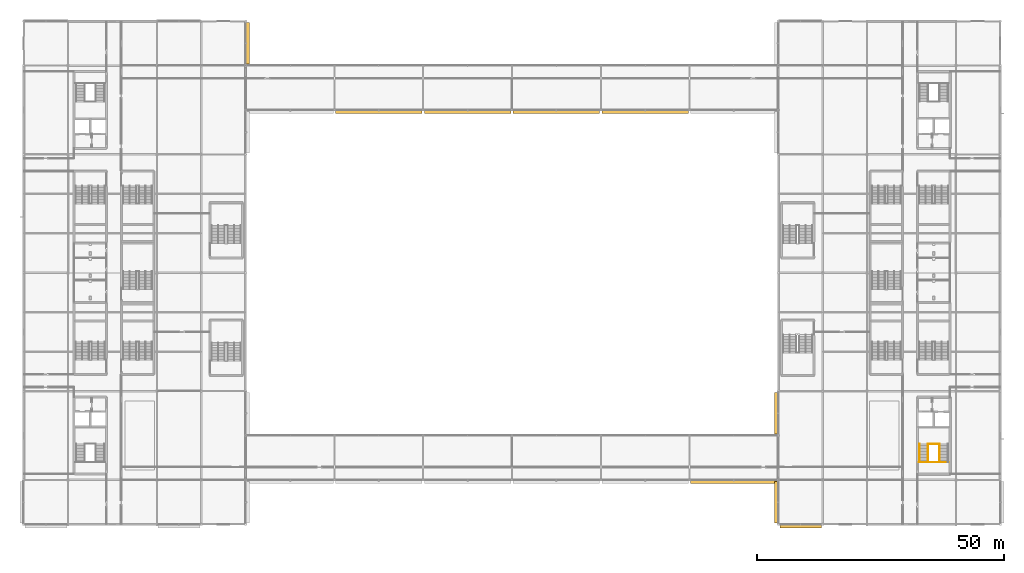
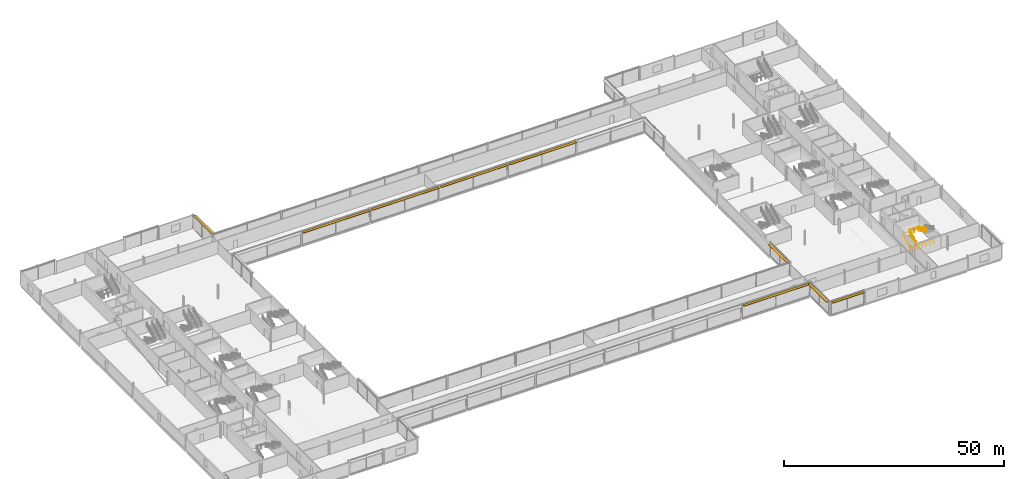
# One storey, part 91 of 96: 9 shading devices, 3 railings.
"""IFC4 building model written with IfcOpenShell, lengths in metres."""

from ifc_helpers import new_model, si_unit, direction, frame, origin, origin_2d, place, context, subcontext, project, spatial, rectangle, circle, extrude, material, type_object, element, save


model = new_model("IFC4")

# Units and contexts
model_context = context("Model", 3, precision=1e-05, world=origin(), true_north=direction((0.0, 1.0)))
body_context = subcontext(model_context, "Body", "Model", "MODEL_VIEW")
ifc_project = project(units=[si_unit("LENGTHUNIT", "METRE"), si_unit("AREAUNIT", "SQUARE_METRE"), si_unit("VOLUMEUNIT", "CUBIC_METRE"), si_unit("PLANEANGLEUNIT", "RADIAN"), si_unit("MASSUNIT", "GRAM", prefix="KILO")], contexts=[model_context])

# Site, building, storey
site_placement = place(None, origin())
site = spatial("IfcSite", under=ifc_project, at=site_placement, CompositionType="ELEMENT")
building_placement = place(site_placement, origin())
building = spatial("IfcBuilding", under=site, at=building_placement, Name="Kisiwana Market Hall", CompositionType="ELEMENT")
storey_placement = place(building_placement, frame((0.0, 0.0, 25.5)))
storey = spatial("IfcBuildingStorey", under=building, at=storey_placement, Name="L05", CompositionType="ELEMENT", Elevation=25.5)

# Railings
ifc_material_1 = material(Name="Steel S275", Category="steel")
railing_type_1 = type_object("IfcRailingType", Name="RL-GUARD-1100", PredefinedType="GUARDRAIL", material=ifc_material_1)
railing_1_placement = place(storey_placement, frame((183.35009765625, 21.6494140625, 0.0)))
element("IfcRailing", 1, at=railing_1_placement, inside=storey, type_object=railing_type_1, Name="Stair ST-E2-L05 inner-well guardrail (RL-859)", PredefinedType="GUARDRAIL", context=body_context, shape_type="SweptSolid", body=[
    extrude(circle(Radius=0.02392578125, at=origin_2d()), frame((0.0, 0.0, 1.076171875), z_axis=(0.0, 0.882566327451, 0.470187917379), x_axis=(-1.0, 0.0, 0.0)), (0.0, 0.0, 1.0), 4.147216796875),
    extrude(circle(Radius=0.02392578125, at=origin_2d()), frame((0.0, 3.66015625, 3.02587890625), z_axis=(1.0, 0.0, 0.0), x_axis=(0.0, 1.0, 0.0)), (0.0, 0.0, 1.0), 2.2998046875),
    extrude(circle(Radius=0.02392578125, at=origin_2d()), frame((2.2998046875, 3.66015625, 3.02587890625), z_axis=(0.0, -0.882566327451, 0.470187917379), x_axis=(1.0, 0.0, 0.0)), (0.0, 0.0, 1.0), 4.147216796875),
    extrude(circle(Radius=0.02099609375, at=origin_2d()), origin(), (0.0, 0.0, 1.0), 1.052001953125),
    extrude(circle(Radius=0.02099609375, at=origin_2d()), frame((0.0, 0.9150390625, 0.487548828125)), (0.0, 0.0, 1.0), 1.052001953125),
    extrude(circle(Radius=0.02099609375, at=origin_2d()), frame((0.0, 1.830078125, 0.97509765625)), (0.0, 0.0, 1.0), 1.052001953125),
    extrude(circle(Radius=0.02099609375, at=origin_2d()), frame((0.0, 2.7451171875, 1.46240234375)), (0.0, 0.0, 1.0), 1.052001953125),
    extrude(circle(Radius=0.02099609375, at=origin_2d()), frame((0.0, 3.66015625, 1.949951171875)), (0.0, 0.0, 1.0), 1.052001953125),
    extrude(circle(Radius=0.02099609375, at=origin_2d()), frame((1.14990234375, 3.66015625, 1.949951171875)), (0.0, 0.0, 1.0), 1.052001953125),
    extrude(circle(Radius=0.02099609375, at=origin_2d()), frame((2.2998046875, 3.66015625, 1.949951171875)), (0.0, 0.0, 1.0), 1.052001953125),
    extrude(circle(Radius=0.02099609375, at=origin_2d()), frame((2.2998046875, 2.7451171875, 2.4375)), (0.0, 0.0, 1.0), 1.052001953125),
    extrude(circle(Radius=0.02099609375, at=origin_2d()), frame((2.2998046875, 1.830078125, 2.9248046875)), (0.0, 0.0, 1.0), 1.052001953125),
    extrude(circle(Radius=0.02099609375, at=origin_2d()), frame((2.2998046875, 0.9150390625, 3.412353515625)), (0.0, 0.0, 1.0), 1.052001953125),
    extrude(circle(Radius=0.02099609375, at=origin_2d()), frame((2.2998046875, 0.0, 3.89990234375)), (0.0, 0.0, 1.0), 1.052001953125),
])
railing_2_placement = place(storey_placement, frame((181.47998046875, 21.569580078125, 0.0)))
element("IfcRailing", 2, at=railing_2_placement, inside=storey, type_object=railing_type_1, Name="Stair ST-E2-L05 landing edge guardrail (RL-862)", PredefinedType="GUARDRAIL", context=body_context, shape_type="SweptSolid", body=[
    extrude(circle(Radius=0.02392578125, at=origin_2d()), frame((0.0, 0.0, 1.076171875), z_axis=(1.0, 0.0, 0.0), x_axis=(0.0, 1.0, 0.0)), (0.0, 0.0, 1.0), 6.0400390625),
    extrude(circle(Radius=0.02099609375, at=origin_2d()), origin(), (0.0, 0.0, 1.0), 1.052001953125),
    extrude(circle(Radius=0.02099609375, at=origin_2d()), frame((1.006591796875, 0.0, 0.0)), (0.0, 0.0, 1.0), 1.052001953125),
    extrude(circle(Radius=0.02099609375, at=origin_2d()), frame((2.013427734375, 0.0, 0.0)), (0.0, 0.0, 1.0), 1.052001953125),
    extrude(circle(Radius=0.02099609375, at=origin_2d()), frame((3.02001953125, 0.0, 0.0)), (0.0, 0.0, 1.0), 1.052001953125),
    extrude(circle(Radius=0.02099609375, at=origin_2d()), frame((4.026611328125, 0.0, 0.0)), (0.0, 0.0, 1.0), 1.052001953125),
    extrude(circle(Radius=0.02099609375, at=origin_2d()), frame((5.033447265625, 0.0, 0.0)), (0.0, 0.0, 1.0), 1.052001953125),
    extrude(circle(Radius=0.02099609375, at=origin_2d()), frame((6.0400390625, 0.0, 0.0)), (0.0, 0.0, 1.0), 1.052001953125),
])
ifc_material_2 = material(Name="Steel S275", Category="steel")
railing_type_2 = type_object("IfcRailingType", Name="RL-HAND-900", PredefinedType="HANDRAIL", material=ifc_material_2)
railing_3_placement = place(storey_placement, frame((181.610107421875, 21.6494140625, 0.0)))
element("IfcRailing", 3, at=railing_3_placement, inside=storey, type_object=railing_type_2, Name="Stair ST-E2-L05 flight 1 handrail (RL-860)", PredefinedType="HANDRAIL", context=body_context, shape_type="SweptSolid", body=[
    extrude(circle(Radius=0.02392578125, at=origin_2d()), frame((0.0, 0.0, 0.8759765625), z_axis=(0.0, 0.882566327451, 0.470187917379), x_axis=(-1.0, 0.0, 0.0)), (0.0, 0.0, 1.0), 4.147216796875),
    extrude(circle(Radius=0.02099609375, at=origin_2d()), origin(), (0.0, 0.0, 1.0), 0.851806640625),
    extrude(circle(Radius=0.02099609375, at=origin_2d()), frame((0.0, 0.9150390625, 0.487548828125)), (0.0, 0.0, 1.0), 0.851806640625),
    extrude(circle(Radius=0.02099609375, at=origin_2d()), frame((0.0, 1.830078125, 0.97509765625)), (0.0, 0.0, 1.0), 0.851806640625),
    extrude(circle(Radius=0.02099609375, at=origin_2d()), frame((0.0, 2.7451171875, 1.46240234375)), (0.0, 0.0, 1.0), 0.851806640625),
    extrude(circle(Radius=0.02099609375, at=origin_2d()), frame((0.0, 3.66015625, 1.949951171875)), (0.0, 0.0, 1.0), 0.851806640625),
])

# Shading devices
ifc_material_3 = material(Name="Aluminium alloy 6063-T6", Category="aluminium")
shading_device_type = type_object("IfcShadingDeviceType", Name="SHD-JALOUSIE-H", PredefinedType="JALOUSIE", material=ifc_material_3)
shading_device_1_placement = place(storey_placement, frame((157.5, 8.580078125, 3.474853515625), z_axis=(0.0, 0.0, 1.0), x_axis=(1.0, 0.0, 0.0)))
element("IfcShadingDevice", 4, at=shading_device_1_placement, inside=storey, type_object=shading_device_type, Name="Aluminium brise-soleil louvre SHD-101 SD-101", PredefinedType="JALOUSIE", context=body_context, shape_type="SweptSolid", body=[
    extrude(rectangle(XDim=8.3935546875, YDim=0.64990234375, at=origin_2d()), origin(), (0.0, 0.0, 1.0), 0.1201171875),
])
shading_device_2_placement = place(storey_placement, frame((143.9609375, 17.580078125, 3.474853515625), z_axis=(0.0, 0.0, 1.0), x_axis=(1.0, 0.0, 0.0)))
element("IfcShadingDevice", 5, at=shading_device_2_placement, inside=storey, type_object=shading_device_type, Name="Aluminium brise-soleil louvre SHD-107 SD-107", PredefinedType="JALOUSIE", context=body_context, shape_type="SweptSolid", body=[
    extrude(rectangle(XDim=17.4716796875, YDim=0.64990234375, at=origin_2d()), origin(), (0.0, 0.0, 1.0), 0.1201171875),
])
for number, where, z_axis, x_axis, name in (
    (6, (72.0, 92.580078125, 3.474853515625), (0.0, 0.0, 1.0), (1.0, 0.0, 0.0), "Aluminium brise-soleil louvre SHD-109 SD-109"),
    (7, (90.0, 92.580078125, 3.474853515625), (0.0, 0.0, 1.0), (1.0, 0.0, 0.0), "Aluminium brise-soleil louvre SHD-110 SD-110"),
    (8, (108.0, 92.580078125, 3.474853515625), (0.0, 0.0, 1.0), (1.0, 0.0, 0.0), "Aluminium brise-soleil louvre SHD-111 SD-111"),
    (9, (126.0, 92.580078125, 3.474853515625), (0.0, 0.0, 1.0), (1.0, 0.0, 0.0), "Aluminium brise-soleil louvre SHD-112 SD-112"),
):
    element("IfcShadingDevice", number, at=place(storey_placement, frame(where, z_axis=z_axis, x_axis=x_axis)), inside=storey, type_object=shading_device_type, Name=name, PredefinedType="JALOUSIE", context=body_context, shape_type="SweptSolid", body=[
        extrude(rectangle(XDim=17.550048828125, YDim=0.64990234375, at=origin_2d()), origin(), (0.0, 0.0, 1.0), 0.1201171875),
    ])
for number, where, z_axis, x_axis, name in (
    (10, (45.419921875, 106.5, 3.474853515625), (0.0, 0.0, 1.0), (0.0, 1.0, 0.0), "Aluminium brise-soleil louvre SHD-119 SD-119"),
    (11, (152.580078125, 13.5, 3.474853515625), (0.0, 0.0, 1.0), (0.0, 1.0, 0.0), "Aluminium brise-soleil louvre SHD-120 SD-120"),
    (12, (152.580078125, 31.5, 3.474853515625), (0.0, 0.0, 1.0), (0.0, 1.0, 0.0), "Aluminium brise-soleil louvre SHD-121 SD-121"),
):
    element("IfcShadingDevice", number, at=place(storey_placement, frame(where, z_axis=z_axis, x_axis=x_axis)), inside=storey, type_object=shading_device_type, Name=name, PredefinedType="JALOUSIE", context=body_context, shape_type="SweptSolid", body=[
        extrude(rectangle(XDim=8.3935546875, YDim=0.64990234375, at=origin_2d()), origin(), (0.0, 0.0, 1.0), 0.1201171875),
    ])

save(model, "model.ifc")
